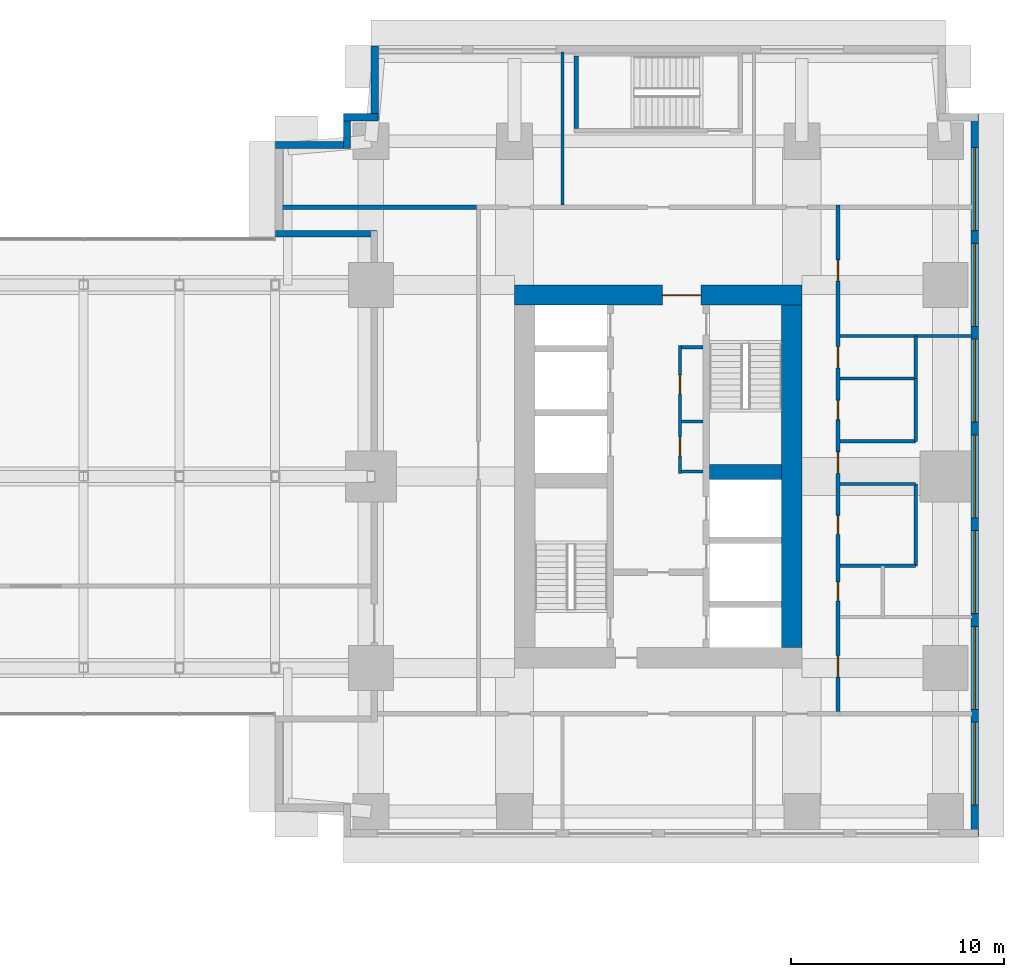
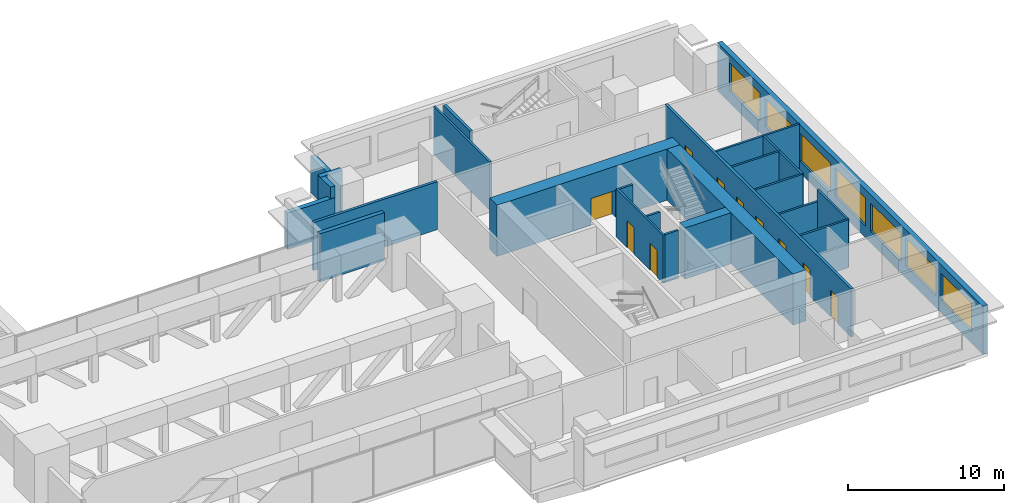
# One storey, part 11 of 15: 25 walls, 10 doors, 7 windows, 17 openings.
"""IFC4 building model written with IfcOpenShell, lengths in metres."""

from ifc_helpers import new_model, si_unit, direction, frame, frame_2d, origin, place, context, subcontext, project, spatial, rectangle, extrude, material, layer, layer_set, type_object, element, fill, save


model = new_model("IFC4")

# Units and contexts
model_context = context("Model", 3, precision=1e-05, world=origin(), true_north=direction((0.0, 1.0)))
body_context = subcontext(model_context, "Body", "Model", "MODEL_VIEW")
ifc_project = project(units=[si_unit("LENGTHUNIT", "METRE"), si_unit("AREAUNIT", "SQUARE_METRE"), si_unit("VOLUMEUNIT", "CUBIC_METRE"), si_unit("PLANEANGLEUNIT", "RADIAN"), si_unit("MASSUNIT", "GRAM", prefix="KILO")], contexts=[model_context])

# Site, building, storey
site_placement = place(None, origin())
site = spatial("IfcSite", under=ifc_project, at=site_placement, CompositionType="ELEMENT")
building_placement = place(site_placement, origin())
building = spatial("IfcBuilding", under=site, at=building_placement, Name="Namib Vertical Campus", CompositionType="ELEMENT")
storey_placement = place(building_placement, frame((0.0, 0.0, 105.0)))
storey = spatial("IfcBuildingStorey", under=building, at=storey_placement, Name="L24", CompositionType="ELEMENT", Elevation=105.0)

# Walls
ifc_material_1 = material(Name="Concrete C60/75", Category="concrete")
ifc_layer_1 = layer(ifc_material_1, 0.699951171875)
ifc_layer_set_1 = layer_set([ifc_layer_1], Name="Concrete C60/75")
wall_type_1 = type_object("IfcWallType", Name="Core shear wall 700", PredefinedType="SHEAR", material=ifc_layer_set_1)
wall_1_placement = place(storey_placement, frame((83.39990234375, 20.449951171875, 0.0), z_axis=(0.0, 0.0, 1.0), x_axis=(1.0, 0.0, 0.0)))
element("IfcWall", 1, at=wall_1_placement, inside=storey, type_object=wall_type_1, Name="Core shear wall B L24 W7", PredefinedType="SHEAR", context=body_context, shape_type="SweptSolid", body=[
    extrude(rectangle(XDim=3.400146484375, YDim=0.699951171875, at=frame_2d((1.7001953125, 0.0))), origin(), (0.0, 0.0, 1.0), 4.0),
])
ifc_material_2 = material(Name="Concrete C60/75", Category="concrete")
ifc_layer_2 = layer(ifc_material_2, 0.949951171875)
ifc_layer_set_2 = layer_set([ifc_layer_2], Name="Concrete C60/75")
wall_type_2 = type_object("IfcWallType", Name="Core wall 950", PredefinedType="SHEAR", material=ifc_layer_set_2)
wall_2_placement = place(storey_placement, frame((87.27490234375, 12.199951171875, 0.0), z_axis=(0.0, 0.0, 1.0), x_axis=(0.0, 1.0, 0.0)))
element("IfcWall", 2, at=wall_2_placement, inside=storey, type_object=wall_type_2, Name="Core wall B L24 2", PredefinedType="SHEAR", context=body_context, shape_type="SweptSolid", body=[
    extrude(rectangle(XDim=16.10009765625, YDim=0.949951171875, at=frame_2d((8.050048828125, 0.0))), origin(), (0.0, 0.0, 1.0), 4.0),
])

# Wall, opening, door
wall_3_placement = place(storey_placement, frame((87.75, 28.77490234375, 0.0), z_axis=(0.0, 0.0, 1.0), x_axis=(-1.0, 0.0, 0.0)))
wall_3 = element("IfcWall", 3, at=wall_3_placement, inside=storey, type_object=wall_type_2, Name="Core wall B L24 3", PredefinedType="SHEAR", context=body_context, shape_type="SweptSolid", body=[
    extrude(rectangle(XDim=13.5, YDim=0.949951171875, at=frame_2d((6.75, 0.0))), origin(), (0.0, 0.0, 1.0), 4.0),
])
opening_1_placement = place(wall_3_placement, frame((4.75, 0.0, 0.0)))
opening_1 = element("IfcOpeningElement", 4, at=opening_1_placement, cuts=wall_3, Name="Opening FD2", PredefinedType="OPENING", context=body_context, shape_type="SweptSolid", body=[
    extrude(rectangle(XDim=1.800048828125, YDim=2.10009765625, at=frame_2d((0.89990234375, 1.050048828125))), frame((0.0, 0.48486328125, 0.0), z_axis=(0.0, -1.0, 0.0), x_axis=(1.0, 0.0, 0.0)), (0.0, 0.0, 1.0), 0.969970703125),
])
ifc_material_3 = material(Name="Steel fire door", Category="steel")
door_type_1 = type_object("IfcDoorType", Name="Fire door double 1800x2100", OperationType="DOUBLE_DOOR_SINGLE_SWING", PredefinedType="DOOR", material=ifc_material_3)
door_1_placement = place(opening_1_placement, origin())
door_1 = element("IfcDoor", 5, at=door_1_placement, inside=storey, type_object=door_type_1, Name="Lift lobby door FD2 B L24", OperationType="DOUBLE_DOOR_SINGLE_SWING", OverallHeight=2.10009765625, OverallWidth=1.800048828125, PredefinedType="DOOR", context=body_context, shape_type="SweptSolid", body=[
    extrude(rectangle(XDim=1.800048828125, YDim=2.10009765625, at=frame_2d((0.89990234375, 1.050048828125))), frame((0.0, 0.02490234375, 0.0), z_axis=(0.0, -1.0, 0.0), x_axis=(1.0, 0.0, 0.0)), (0.0, 0.0, 1.0), 0.050048828125),
])
fill(opening_1, door_1)

# Wall, openings, doors
ifc_material_4 = material(Name="Concrete masonry", Category="masonry")
ifc_layer_3 = layer(ifc_material_4, 0.199951171875)
ifc_layer_set_3 = layer_set([ifc_layer_3], Name="Corridor wall 200")
wall_type_3 = type_object("IfcWallType", Name="Corridor wall 200", PredefinedType="SOLIDWALL", material=ifc_layer_set_3)
wall_4_placement = place(storey_placement, frame((89.449951171875, 9.199951171875, 0.0), z_axis=(0.0, 0.0, 1.0), x_axis=(0.0, 1.0, 0.0)))
wall_4 = element("IfcWall", 6, at=wall_4_placement, inside=storey, type_object=wall_type_3, Name="Corridor wall B L24 CE", PredefinedType="SOLIDWALL", context=body_context, shape_type="SweptSolid", body=[
    extrude(rectangle(XDim=23.800048828125, YDim=0.199951171875, at=frame_2d((11.89990234375, 0.0))), origin(), (0.0, 0.0, 1.0), 3.75),
])
opening_2_placement = place(wall_4_placement, frame((1.625, 0.0, 0.0)))
opening_2 = element("IfcOpeningElement", 7, at=opening_2_placement, cuts=wall_4, Name="Opening CD1", PredefinedType="OPENING", context=body_context, shape_type="SweptSolid", body=[
    extrude(rectangle(XDim=1.0, YDim=2.10009765625, at=frame_2d((0.5, 1.050048828125))), frame((0.0, 0.10986328125, 0.0), z_axis=(0.0, -1.0, 0.0), x_axis=(1.0, 0.0, 0.0)), (0.0, 0.0, 1.0), 0.219970703125),
])
opening_3_placement = place(wall_4_placement, frame((5.199951171875, 0.0, 0.0)))
opening_3 = element("IfcOpeningElement", 8, at=opening_3_placement, cuts=wall_4, Name="Opening CD3", PredefinedType="OPENING", context=body_context, shape_type="SweptSolid", body=[
    extrude(rectangle(XDim=0.89990234375, YDim=2.10009765625, at=frame_2d((0.449951171875, 1.050048828125))), frame((0.0, 0.10986328125, 0.0), z_axis=(0.0, -1.0, 0.0), x_axis=(1.0, 0.0, 0.0)), (0.0, 0.0, 1.0), 0.219970703125),
])
opening_4_placement = place(wall_4_placement, frame((8.324951171875, 0.0, 0.0)))
opening_4 = element("IfcOpeningElement", 9, at=opening_4_placement, cuts=wall_4, Name="Opening CD3", PredefinedType="OPENING", context=body_context, shape_type="SweptSolid", body=[
    extrude(rectangle(XDim=0.89990234375, YDim=2.10009765625, at=frame_2d((0.449951171875, 1.050048828125))), frame((0.0, 0.10986328125, 0.0), z_axis=(0.0, -1.0, 0.0), x_axis=(1.0, 0.0, 0.0)), (0.0, 0.0, 1.0), 0.219970703125),
])
opening_5_placement = place(wall_4_placement, frame((13.72509765625, 0.0, 0.0)))
opening_5 = element("IfcOpeningElement", 10, at=opening_5_placement, cuts=wall_4, Name="Opening CD3", PredefinedType="OPENING", context=body_context, shape_type="SweptSolid", body=[
    extrude(rectangle(XDim=0.89990234375, YDim=2.10009765625, at=frame_2d((0.449951171875, 1.050048828125))), frame((0.0, 0.10986328125, 0.0), z_axis=(0.0, -1.0, 0.0), x_axis=(1.0, 0.0, 0.0)), (0.0, 0.0, 1.0), 0.219970703125),
])
opening_6_placement = place(wall_4_placement, frame((16.14990234375, 0.0, 0.0)))
opening_6 = element("IfcOpeningElement", 11, at=opening_6_placement, cuts=wall_4, Name="Opening CD1", PredefinedType="OPENING", context=body_context, shape_type="SweptSolid", body=[
    extrude(rectangle(XDim=1.0, YDim=2.10009765625, at=frame_2d((0.5, 1.050048828125))), frame((0.0, 0.10986328125, 0.0), z_axis=(0.0, -1.0, 0.0), x_axis=(1.0, 0.0, 0.0)), (0.0, 0.0, 1.0), 0.219970703125),
])
opening_7_placement = place(wall_4_placement, frame((11.199951171875, 0.0, 0.0)))
opening_7 = element("IfcOpeningElement", 12, at=opening_7_placement, cuts=wall_4, Name="Opening CD1", PredefinedType="OPENING", context=body_context, shape_type="SweptSolid", body=[
    extrude(rectangle(XDim=1.0, YDim=2.10009765625, at=frame_2d((0.5, 1.050048828125))), frame((0.0, 0.10986328125, 0.0), z_axis=(0.0, -1.0, 0.0), x_axis=(1.0, 0.0, 0.0)), (0.0, 0.0, 1.0), 0.219970703125),
])
opening_8_placement = place(wall_4_placement, frame((20.22509765625, 0.0, 0.0)))
opening_8 = element("IfcOpeningElement", 13, at=opening_8_placement, cuts=wall_4, Name="Opening CD1", PredefinedType="OPENING", context=body_context, shape_type="SweptSolid", body=[
    extrude(rectangle(XDim=1.0, YDim=2.10009765625, at=frame_2d((0.5, 1.050048828125))), frame((0.0, 0.10986328125, 0.0), z_axis=(0.0, -1.0, 0.0), x_axis=(1.0, 0.0, 0.0)), (0.0, 0.0, 1.0), 0.219970703125),
])
ifc_material_5 = material(Name="Timber fire door leaf", Category="wood")
door_type_2 = type_object("IfcDoorType", Name="Corridor door 1000x2100 20 min", OperationType="SINGLE_SWING_LEFT", PredefinedType="DOOR", material=ifc_material_5)
door_2_placement = place(opening_2_placement, frame((1.0, 0.0, 0.0), z_axis=(0.0, 0.0, 1.0), x_axis=(-1.0, 0.0, 0.0)))
door_2 = element("IfcDoor", 14, at=door_2_placement, inside=storey, type_object=door_type_2, Name="Door CD1 B24-04", OperationType="SINGLE_SWING_RIGHT", OverallHeight=2.10009765625, OverallWidth=1.0, PredefinedType="DOOR", context=body_context, shape_type="SweptSolid", body=[
    extrude(rectangle(XDim=1.0, YDim=2.10009765625, at=frame_2d((0.5, 1.050048828125))), frame((0.0, 0.02490234375, 0.0), z_axis=(0.0, -1.0, 0.0), x_axis=(1.0, 0.0, 0.0)), (0.0, 0.0, 1.0), 0.050048828125),
])
fill(opening_2, door_2)
door_3_placement = place(opening_6_placement, frame((1.0, 0.0, 0.0), z_axis=(0.0, 0.0, 1.0), x_axis=(-1.0, 0.0, 0.0)))
door_3 = element("IfcDoor", 15, at=door_3_placement, inside=storey, type_object=door_type_2, Name="Door CD1 B24-08", OperationType="SINGLE_SWING_RIGHT", OverallHeight=2.10009765625, OverallWidth=1.0, PredefinedType="DOOR", context=body_context, shape_type="SweptSolid", body=[
    extrude(rectangle(XDim=1.0, YDim=2.10009765625, at=frame_2d((0.5, 1.050048828125))), frame((0.0, 0.02490234375, 0.0), z_axis=(0.0, -1.0, 0.0), x_axis=(1.0, 0.0, 0.0)), (0.0, 0.0, 1.0), 0.050048828125),
])
fill(opening_6, door_3)
door_4_placement = place(opening_7_placement, frame((1.0, 0.0, 0.0), z_axis=(0.0, 0.0, 1.0), x_axis=(-1.0, 0.0, 0.0)))
door_4 = element("IfcDoor", 16, at=door_4_placement, inside=storey, type_object=door_type_2, Name="Door CD1 B24-09", OperationType="SINGLE_SWING_RIGHT", OverallHeight=2.10009765625, OverallWidth=1.0, PredefinedType="DOOR", context=body_context, shape_type="SweptSolid", body=[
    extrude(rectangle(XDim=1.0, YDim=2.10009765625, at=frame_2d((0.5, 1.050048828125))), frame((0.0, 0.02490234375, 0.0), z_axis=(0.0, -1.0, 0.0), x_axis=(1.0, 0.0, 0.0)), (0.0, 0.0, 1.0), 0.050048828125),
])
fill(opening_7, door_4)
door_5_placement = place(opening_8_placement, frame((1.0, 0.0, 0.0), z_axis=(0.0, 0.0, 1.0), x_axis=(-1.0, 0.0, 0.0)))
door_5 = element("IfcDoor", 17, at=door_5_placement, inside=storey, type_object=door_type_2, Name="Door CD1 B24-10", OperationType="SINGLE_SWING_RIGHT", OverallHeight=2.10009765625, OverallWidth=1.0, PredefinedType="DOOR", context=body_context, shape_type="SweptSolid", body=[
    extrude(rectangle(XDim=1.0, YDim=2.10009765625, at=frame_2d((0.5, 1.050048828125))), frame((0.0, 0.02490234375, 0.0), z_axis=(0.0, -1.0, 0.0), x_axis=(1.0, 0.0, 0.0)), (0.0, 0.0, 1.0), 0.050048828125),
])
fill(opening_8, door_5)
ifc_material_6 = material(Name="Timber fire door leaf", Category="wood")
door_type_3 = type_object("IfcDoorType", Name="Corridor toilet door 900x2100 20 min", OperationType="SINGLE_SWING_LEFT", PredefinedType="DOOR", material=ifc_material_6)
door_6_placement = place(opening_3_placement, frame((0.89990234375, 0.0, 0.0), z_axis=(0.0, 0.0, 1.0), x_axis=(-1.0, 0.0, 0.0)))
door_6 = element("IfcDoor", 18, at=door_6_placement, inside=storey, type_object=door_type_3, Name="Door CD3 B24-05", OperationType="SINGLE_SWING_RIGHT", OverallHeight=2.10009765625, OverallWidth=0.89990234375, PredefinedType="DOOR", context=body_context, shape_type="SweptSolid", body=[
    extrude(rectangle(XDim=0.89990234375, YDim=2.10009765625, at=frame_2d((0.449951171875, 1.050048828125))), frame((0.0, 0.02490234375, 0.0), z_axis=(0.0, -1.0, 0.0), x_axis=(1.0, 0.0, 0.0)), (0.0, 0.0, 1.0), 0.050048828125),
])
fill(opening_3, door_6)
door_7_placement = place(opening_4_placement, frame((0.89990234375, 0.0, 0.0), z_axis=(0.0, 0.0, 1.0), x_axis=(-1.0, 0.0, 0.0)))
door_7 = element("IfcDoor", 19, at=door_7_placement, inside=storey, type_object=door_type_3, Name="Door CD3 B24-06", OperationType="SINGLE_SWING_RIGHT", OverallHeight=2.10009765625, OverallWidth=0.89990234375, PredefinedType="DOOR", context=body_context, shape_type="SweptSolid", body=[
    extrude(rectangle(XDim=0.89990234375, YDim=2.10009765625, at=frame_2d((0.449951171875, 1.050048828125))), frame((0.0, 0.02490234375, 0.0), z_axis=(0.0, -1.0, 0.0), x_axis=(1.0, 0.0, 0.0)), (0.0, 0.0, 1.0), 0.050048828125),
])
fill(opening_4, door_7)
door_8_placement = place(opening_5_placement, frame((0.89990234375, 0.0, 0.0), z_axis=(0.0, 0.0, 1.0), x_axis=(-1.0, 0.0, 0.0)))
door_8 = element("IfcDoor", 20, at=door_8_placement, inside=storey, type_object=door_type_3, Name="Door CD3 B24-07", OperationType="SINGLE_SWING_RIGHT", OverallHeight=2.10009765625, OverallWidth=0.89990234375, PredefinedType="DOOR", context=body_context, shape_type="SweptSolid", body=[
    extrude(rectangle(XDim=0.89990234375, YDim=2.10009765625, at=frame_2d((0.449951171875, 1.050048828125))), frame((0.0, 0.02490234375, 0.0), z_axis=(0.0, -1.0, 0.0), x_axis=(1.0, 0.0, 0.0)), (0.0, 0.0, 1.0), 0.050048828125),
])
fill(opening_5, door_8)

# Wall
wall_5_placement = place(storey_placement, frame((63.300048828125, 32.89990234375, 0.0), z_axis=(0.0, 0.0, 1.0), x_axis=(1.0, 0.0, 0.0)))
element("IfcWall", 21, at=wall_5_placement, inside=storey, type_object=wall_type_3, Name="Partition B L24 BNW", PredefinedType="SOLIDWALL", context=body_context, shape_type="SweptSolid", body=[
    extrude(rectangle(XDim=9.14990234375, YDim=0.199951171875, at=frame_2d((4.574951171875, 0.0))), origin(), (0.0, 0.0, 1.0), 3.75),
])

# Wall, openings, windows
ifc_material_7 = material(Name="Concrete C40/50", Category="concrete")
ifc_layer_4 = layer(ifc_material_7, 0.35009765625)
ifc_layer_set_4 = layer_set([ifc_layer_4], Name="Concrete C40/50")
wall_type_4 = type_object("IfcWallType", Name="External wall 350 bush-hammered concrete", PredefinedType="STANDARD", material=ifc_layer_set_4)
wall_6_placement = place(storey_placement, frame((95.875, 3.320068359375, 0.0), z_axis=(0.0, 0.0, 1.0), x_axis=(0.0, 1.0, 0.0)))
wall_6 = element("IfcWall", 22, at=wall_6_placement, inside=storey, type_object=wall_type_4, Name="External wall L24 F05", PredefinedType="STANDARD", context=body_context, shape_type="SweptSolid", body=[
    extrude(rectangle(XDim=33.9599609375, YDim=0.35009765625, at=frame_2d((16.97998046875, 0.0))), origin(), (0.0, 0.0, 1.0), 3.75),
])
opening_9_placement = place(wall_6_placement, frame((1.47998046875, 0.0, 0.89990234375)))
opening_9 = element("IfcOpeningElement", 23, at=opening_9_placement, cuts=wall_6, Name="Opening W1", PredefinedType="OPENING", context=body_context, shape_type="SweptSolid", body=[
    extrude(rectangle(XDim=3.89990234375, YDim=2.199951171875, at=frame_2d((1.949951171875, 1.10009765625))), frame((0.0, 0.18505859375, 0.0), z_axis=(0.0, -1.0, 0.0), x_axis=(1.0, 0.0, 0.0)), (0.0, 0.0, 1.0), 0.3701171875),
])
opening_10_placement = place(wall_6_placement, frame((5.97998046875, 0.0, 0.89990234375)))
opening_10 = element("IfcOpeningElement", 24, at=opening_10_placement, cuts=wall_6, Name="Opening W1", PredefinedType="OPENING", context=body_context, shape_type="SweptSolid", body=[
    extrude(rectangle(XDim=3.89990234375, YDim=2.199951171875, at=frame_2d((1.949951171875, 1.10009765625))), frame((0.0, 0.18505859375, 0.0), z_axis=(0.0, -1.0, 0.0), x_axis=(1.0, 0.0, 0.0)), (0.0, 0.0, 1.0), 0.3701171875),
])
opening_11_placement = place(wall_6_placement, frame((10.47998046875, 0.0, 0.89990234375)))
opening_11 = element("IfcOpeningElement", 25, at=opening_11_placement, cuts=wall_6, Name="Opening W1", PredefinedType="OPENING", context=body_context, shape_type="SweptSolid", body=[
    extrude(rectangle(XDim=3.89990234375, YDim=2.199951171875, at=frame_2d((1.949951171875, 1.10009765625))), frame((0.0, 0.18505859375, 0.0), z_axis=(0.0, -1.0, 0.0), x_axis=(1.0, 0.0, 0.0)), (0.0, 0.0, 1.0), 0.3701171875),
])
opening_12_placement = place(wall_6_placement, frame((14.97998046875, 0.0, 0.89990234375)))
opening_12 = element("IfcOpeningElement", 26, at=opening_12_placement, cuts=wall_6, Name="Opening W1", PredefinedType="OPENING", context=body_context, shape_type="SweptSolid", body=[
    extrude(rectangle(XDim=3.89990234375, YDim=2.199951171875, at=frame_2d((1.949951171875, 1.10009765625))), frame((0.0, 0.18505859375, 0.0), z_axis=(0.0, -1.0, 0.0), x_axis=(1.0, 0.0, 0.0)), (0.0, 0.0, 1.0), 0.3701171875),
])
opening_13_placement = place(wall_6_placement, frame((19.47998046875, 0.0, 0.89990234375)))
opening_13 = element("IfcOpeningElement", 27, at=opening_13_placement, cuts=wall_6, Name="Opening W1", PredefinedType="OPENING", context=body_context, shape_type="SweptSolid", body=[
    extrude(rectangle(XDim=3.89990234375, YDim=2.199951171875, at=frame_2d((1.949951171875, 1.10009765625))), frame((0.0, 0.18505859375, 0.0), z_axis=(0.0, -1.0, 0.0), x_axis=(1.0, 0.0, 0.0)), (0.0, 0.0, 1.0), 0.3701171875),
])
opening_14_placement = place(wall_6_placement, frame((23.97998046875, 0.0, 0.89990234375)))
opening_14 = element("IfcOpeningElement", 28, at=opening_14_placement, cuts=wall_6, Name="Opening W1", PredefinedType="OPENING", context=body_context, shape_type="SweptSolid", body=[
    extrude(rectangle(XDim=3.89990234375, YDim=2.199951171875, at=frame_2d((1.949951171875, 1.10009765625))), frame((0.0, 0.18505859375, 0.0), z_axis=(0.0, -1.0, 0.0), x_axis=(1.0, 0.0, 0.0)), (0.0, 0.0, 1.0), 0.3701171875),
])
opening_15_placement = place(wall_6_placement, frame((28.47998046875, 0.0, 0.89990234375)))
opening_15 = element("IfcOpeningElement", 29, at=opening_15_placement, cuts=wall_6, Name="Opening W1", PredefinedType="OPENING", context=body_context, shape_type="SweptSolid", body=[
    extrude(rectangle(XDim=3.89990234375, YDim=2.199951171875, at=frame_2d((1.949951171875, 1.10009765625))), frame((0.0, 0.18505859375, 0.0), z_axis=(0.0, -1.0, 0.0), x_axis=(1.0, 0.0, 0.0)), (0.0, 0.0, 1.0), 0.3701171875),
])
ifc_material_8 = material(Name="Dark tinted glass in black aluminium frame", Category="aluminium")
window_type = type_object("IfcWindowType", Name="Ribbon window 3900x2200", PartitioningType="SINGLE_PANEL", PredefinedType="WINDOW", material=ifc_material_8)
window_1_placement = place(opening_9_placement, origin())
window_1 = element("IfcWindow", 30, at=window_1_placement, inside=storey, type_object=window_type, Name="Window W1 L24 F05-1", OverallHeight=2.199951171875, OverallWidth=3.89990234375, PartitioningType="SINGLE_PANEL", PredefinedType="WINDOW", context=body_context, shape_type="SweptSolid", body=[
    extrude(rectangle(XDim=3.89990234375, YDim=2.199951171875, at=frame_2d((1.949951171875, 1.10009765625))), frame((0.0, 0.030029296875, 0.0), z_axis=(0.0, -1.0, 0.0), x_axis=(1.0, 0.0, 0.0)), (0.0, 0.0, 1.0), 0.06005859375),
])
fill(opening_9, window_1)
window_2_placement = place(opening_10_placement, origin())
window_2 = element("IfcWindow", 31, at=window_2_placement, inside=storey, type_object=window_type, Name="Window W1 L24 F05-2", OverallHeight=2.199951171875, OverallWidth=3.89990234375, PartitioningType="SINGLE_PANEL", PredefinedType="WINDOW", context=body_context, shape_type="SweptSolid", body=[
    extrude(rectangle(XDim=3.89990234375, YDim=2.199951171875, at=frame_2d((1.949951171875, 1.10009765625))), frame((0.0, 0.030029296875, 0.0), z_axis=(0.0, -1.0, 0.0), x_axis=(1.0, 0.0, 0.0)), (0.0, 0.0, 1.0), 0.06005859375),
])
fill(opening_10, window_2)
window_3_placement = place(opening_11_placement, origin())
window_3 = element("IfcWindow", 32, at=window_3_placement, inside=storey, type_object=window_type, Name="Window W1 L24 F05-3", OverallHeight=2.199951171875, OverallWidth=3.89990234375, PartitioningType="SINGLE_PANEL", PredefinedType="WINDOW", context=body_context, shape_type="SweptSolid", body=[
    extrude(rectangle(XDim=3.89990234375, YDim=2.199951171875, at=frame_2d((1.949951171875, 1.10009765625))), frame((0.0, 0.030029296875, 0.0), z_axis=(0.0, -1.0, 0.0), x_axis=(1.0, 0.0, 0.0)), (0.0, 0.0, 1.0), 0.06005859375),
])
fill(opening_11, window_3)
window_4_placement = place(opening_12_placement, origin())
window_4 = element("IfcWindow", 33, at=window_4_placement, inside=storey, type_object=window_type, Name="Window W1 L24 F05-4", OverallHeight=2.199951171875, OverallWidth=3.89990234375, PartitioningType="SINGLE_PANEL", PredefinedType="WINDOW", context=body_context, shape_type="SweptSolid", body=[
    extrude(rectangle(XDim=3.89990234375, YDim=2.199951171875, at=frame_2d((1.949951171875, 1.10009765625))), frame((0.0, 0.030029296875, 0.0), z_axis=(0.0, -1.0, 0.0), x_axis=(1.0, 0.0, 0.0)), (0.0, 0.0, 1.0), 0.06005859375),
])
fill(opening_12, window_4)
window_5_placement = place(opening_13_placement, origin())
window_5 = element("IfcWindow", 34, at=window_5_placement, inside=storey, type_object=window_type, Name="Window W1 L24 F05-5", OverallHeight=2.199951171875, OverallWidth=3.89990234375, PartitioningType="SINGLE_PANEL", PredefinedType="WINDOW", context=body_context, shape_type="SweptSolid", body=[
    extrude(rectangle(XDim=3.89990234375, YDim=2.199951171875, at=frame_2d((1.949951171875, 1.10009765625))), frame((0.0, 0.030029296875, 0.0), z_axis=(0.0, -1.0, 0.0), x_axis=(1.0, 0.0, 0.0)), (0.0, 0.0, 1.0), 0.06005859375),
])
fill(opening_13, window_5)
window_6_placement = place(opening_14_placement, origin())
window_6 = element("IfcWindow", 35, at=window_6_placement, inside=storey, type_object=window_type, Name="Window W1 L24 F05-6", OverallHeight=2.199951171875, OverallWidth=3.89990234375, PartitioningType="SINGLE_PANEL", PredefinedType="WINDOW", context=body_context, shape_type="SweptSolid", body=[
    extrude(rectangle(XDim=3.89990234375, YDim=2.199951171875, at=frame_2d((1.949951171875, 1.10009765625))), frame((0.0, 0.030029296875, 0.0), z_axis=(0.0, -1.0, 0.0), x_axis=(1.0, 0.0, 0.0)), (0.0, 0.0, 1.0), 0.06005859375),
])
fill(opening_14, window_6)
window_7_placement = place(opening_15_placement, origin())
window_7 = element("IfcWindow", 36, at=window_7_placement, inside=storey, type_object=window_type, Name="Window W1 L24 F05-7", OverallHeight=2.199951171875, OverallWidth=3.89990234375, PartitioningType="SINGLE_PANEL", PredefinedType="WINDOW", context=body_context, shape_type="SweptSolid", body=[
    extrude(rectangle(XDim=3.89990234375, YDim=2.199951171875, at=frame_2d((1.949951171875, 1.10009765625))), frame((0.0, 0.030029296875, 0.0), z_axis=(0.0, -1.0, 0.0), x_axis=(1.0, 0.0, 0.0)), (0.0, 0.0, 1.0), 0.06005859375),
])
fill(opening_15, window_7)

# Walls
wall_7_placement = place(storey_placement, frame((67.675048828125, 40.47998046875, 0.0), z_axis=(0.0, 0.0, 1.0), x_axis=(0.0, -1.0, 0.0)))
element("IfcWall", 37, at=wall_7_placement, inside=storey, type_object=wall_type_4, Name="External wall L24 F09", PredefinedType="STANDARD", context=body_context, shape_type="SweptSolid", body=[
    extrude(rectangle(XDim=3.510009765625, YDim=0.35009765625, at=frame_2d((1.7548828125, 0.0))), origin(), (0.0, 0.0, 1.0), 2.85009765625),
])
for number, where, z_axis, x_axis, name in (
    (38, (67.830078125, 37.125, 0.0), (0.0, 0.0, 1.0), (-1.0, 0.0, 0.0), "External wall L24 F10"),
    (39, (66.375, 37.280029296875, 0.0), (0.0, 0.0, 1.0), (0.0, -1.0, 0.0), "External wall L24 F11"),
):
    element("IfcWall", number, at=place(storey_placement, frame(where, z_axis=z_axis, x_axis=x_axis)), inside=storey, type_object=wall_type_4, Name=name, PredefinedType="STANDARD", context=body_context, shape_type="SweptSolid", body=[
        extrude(rectangle(XDim=1.610107421875, YDim=0.35009765625, at=frame_2d((0.80517578125, 0.0))), origin(), (0.0, 0.0, 1.0), 3.75),
    ])
wall_8_placement = place(storey_placement, frame((66.530029296875, 35.824951171875, 0.0), z_axis=(0.0, 0.0, 1.0), x_axis=(-1.0, 0.0, 0.0)))
element("IfcWall", 40, at=wall_8_placement, inside=storey, type_object=wall_type_4, Name="External wall L24 F12", PredefinedType="STANDARD", context=body_context, shape_type="SweptSolid", body=[
    extrude(rectangle(XDim=3.510009765625, YDim=0.35009765625, at=frame_2d((1.7548828125, 0.0))), origin(), (0.0, 0.0, 1.0), 2.85009765625),
])
ifc_material_9 = material(Name="Concrete masonry", Category="masonry")
ifc_layer_5 = layer(ifc_material_9, 0.300048828125)
ifc_layer_set_5 = layer_set([ifc_layer_5], Name="Fire wall 300")
wall_type_5 = type_object("IfcWallType", Name="Fire wall 300", PredefinedType="SOLIDWALL", material=ifc_layer_set_5)
wall_9_placement = place(storey_placement, frame((63.02001953125, 31.64990234375, 0.0), z_axis=(0.0, 0.0, 1.0), x_axis=(1.0, 0.0, 0.0)))
element("IfcWall", 41, at=wall_9_placement, inside=storey, type_object=wall_type_5, Name="External wall L24 F14", PredefinedType="SOLIDWALL", context=body_context, shape_type="SweptSolid", body=[
    extrude(rectangle(XDim=4.760009765625, YDim=0.300048828125, at=frame_2d((2.3798828125, 0.0))), origin(), (0.0, 0.0, 1.0), 3.75),
])

# Wall, openings, doors
ifc_material_10 = material(Name="Gypsum board on steel studs", Category="steel")
ifc_layer_6 = layer(ifc_material_10, 0.14990234375)
ifc_layer_set_6 = layer_set([ifc_layer_6], Name="Gypsum board on steel studs")
wall_type_6 = type_object("IfcWallType", Name="Partition 150", PredefinedType="PARTITIONING", material=ifc_layer_set_6)
wall_10_placement = place(storey_placement, frame((82.02490234375, 20.39990234375, 0.0), z_axis=(0.0, 0.0, 1.0), x_axis=(0.0, 1.0, 0.0)))
wall_10 = element("IfcWall", 42, at=wall_10_placement, inside=storey, type_object=wall_type_6, Name="Partition B L24 Cleaners' store and Tea point front", PredefinedType="PARTITIONING", context=body_context, shape_type="SweptSolid", body=[
    extrude(rectangle(XDim=6.0, YDim=0.14990234375, at=frame_2d((3.0, 0.0))), origin(), (0.0, 0.0, 1.0), 3.75),
])
opening_16_placement = place(wall_10_placement, frame((0.800048828125, 0.0, 0.0)))
opening_16 = element("IfcOpeningElement", 43, at=opening_16_placement, cuts=wall_10, Name="Opening D3", PredefinedType="OPENING", context=body_context, shape_type="SweptSolid", body=[
    extrude(rectangle(XDim=0.89990234375, YDim=2.10009765625, at=frame_2d((0.449951171875, 1.050048828125))), frame((0.0, 0.0849609375, 0.0), z_axis=(0.0, -1.0, 0.0), x_axis=(1.0, 0.0, 0.0)), (0.0, 0.0, 1.0), 0.169921875),
])
opening_17_placement = place(wall_10_placement, frame((3.72509765625, 0.0, 0.0)))
opening_17 = element("IfcOpeningElement", 44, at=opening_17_placement, cuts=wall_10, Name="Opening D3", PredefinedType="OPENING", context=body_context, shape_type="SweptSolid", body=[
    extrude(rectangle(XDim=0.89990234375, YDim=2.10009765625, at=frame_2d((0.449951171875, 1.050048828125))), frame((0.0, 0.0849609375, 0.0), z_axis=(0.0, -1.0, 0.0), x_axis=(1.0, 0.0, 0.0)), (0.0, 0.0, 1.0), 0.169921875),
])
ifc_material_11 = material(Name="Timber door leaf", Category="wood")
door_type_4 = type_object("IfcDoorType", Name="Toilet door 900x2100", OperationType="SINGLE_SWING_LEFT", PredefinedType="DOOR", material=ifc_material_11)
door_9_placement = place(opening_16_placement, frame((0.89990234375, 0.0, 0.0), z_axis=(0.0, 0.0, 1.0), x_axis=(-1.0, 0.0, 0.0)))
door_9 = element("IfcDoor", 45, at=door_9_placement, inside=storey, type_object=door_type_4, Name="Door D3 Cleaners' store B L24", OperationType="SINGLE_SWING_RIGHT", OverallHeight=2.10009765625, OverallWidth=0.89990234375, PredefinedType="DOOR", context=body_context, shape_type="SweptSolid", body=[
    extrude(rectangle(XDim=0.89990234375, YDim=2.10009765625, at=frame_2d((0.449951171875, 1.050048828125))), frame((0.0, 0.02490234375, 0.0), z_axis=(0.0, -1.0, 0.0), x_axis=(1.0, 0.0, 0.0)), (0.0, 0.0, 1.0), 0.050048828125),
])
fill(opening_16, door_9)
door_10_placement = place(opening_17_placement, frame((0.89990234375, 0.0, 0.0), z_axis=(0.0, 0.0, 1.0), x_axis=(-1.0, 0.0, 0.0)))
door_10 = element("IfcDoor", 46, at=door_10_placement, inside=storey, type_object=door_type_4, Name="Door D3 Tea point B L24", OperationType="SINGLE_SWING_RIGHT", OverallHeight=2.10009765625, OverallWidth=0.89990234375, PredefinedType="DOOR", context=body_context, shape_type="SweptSolid", body=[
    extrude(rectangle(XDim=0.89990234375, YDim=2.10009765625, at=frame_2d((0.449951171875, 1.050048828125))), frame((0.0, 0.02490234375, 0.0), z_axis=(0.0, -1.0, 0.0), x_axis=(1.0, 0.0, 0.0)), (0.0, 0.0, 1.0), 0.050048828125),
])
fill(opening_17, door_10)

# Walls
for number, where, z_axis, x_axis, name in (
    (47, (82.10009765625, 20.47509765625, 0.0), (0.0, 0.0, 1.0), (1.0, 0.0, 0.0), "Partition B L24 Cleaners' store and Tea point end 1"),
    (48, (82.10009765625, 22.824951171875, 0.0), (0.0, 0.0, 1.0), (1.0, 0.0, 0.0), "Partition B L24 Cleaners' store and Tea point division 2"),
    (49, (82.10009765625, 26.324951171875, 0.0), (0.0, 0.0, 1.0), (1.0, 0.0, 0.0), "Partition B L24 Cleaners' store and Tea point end 3"),
):
    element("IfcWall", number, at=place(storey_placement, frame(where, z_axis=z_axis, x_axis=x_axis)), inside=storey, type_object=wall_type_6, Name=name, PredefinedType="PARTITIONING", context=body_context, shape_type="SweptSolid", body=[
        extrude(rectangle(XDim=1.0, YDim=0.14990234375, at=frame_2d((0.5, 0.0))), origin(), (0.0, 0.0, 1.0), 3.75),
    ])
wall_11_placement = place(storey_placement, frame((76.5, 33.0, 0.0), z_axis=(0.0, 0.0, 1.0), x_axis=(0.0, 1.0, 0.0)))
element("IfcWall", 50, at=wall_11_placement, inside=storey, type_object=wall_type_6, Name="Partition B L24 PN1", PredefinedType="PARTITIONING", context=body_context, shape_type="SweptSolid", body=[
    extrude(rectangle(XDim=7.199951171875, YDim=0.14990234375, at=frame_2d((3.60009765625, 0.0))), origin(), (0.0, 0.0, 1.0), 3.75),
])
wall_12_placement = place(storey_placement, frame((89.550048828125, 26.85009765625, 0.0), z_axis=(0.0, 0.0, 1.0), x_axis=(1.0, 0.0, 0.0)))
element("IfcWall", 51, at=wall_12_placement, inside=storey, type_object=wall_type_6, Name="Partition B L24 PE2", PredefinedType="PARTITIONING", context=body_context, shape_type="SweptSolid", body=[
    extrude(rectangle(XDim=6.199951171875, YDim=0.14990234375, at=frame_2d((3.10009765625, 0.0))), origin(), (0.0, 0.0, 1.0), 3.75),
])
wall_13_placement = place(storey_placement, frame((89.550048828125, 16.050048828125, 0.0), z_axis=(0.0, 0.0, 1.0), x_axis=(1.0, 0.0, 0.0)))
element("IfcWall", 52, at=wall_13_placement, inside=storey, type_object=wall_type_6, Name="Partition B L24 WR1", PredefinedType="PARTITIONING", context=body_context, shape_type="SweptSolid", body=[
    extrude(rectangle(XDim=3.550048828125, YDim=0.14990234375, at=frame_2d((1.77490234375, 0.0))), origin(), (0.0, 0.0, 1.0), 3.75),
])
wall_14_placement = place(storey_placement, frame((89.550048828125, 19.89990234375, 0.0), z_axis=(0.0, 0.0, 1.0), x_axis=(1.0, 0.0, 0.0)))
element("IfcWall", 53, at=wall_14_placement, inside=storey, type_object=wall_type_6, Name="Partition B L24 WR2", PredefinedType="PARTITIONING", context=body_context, shape_type="SweptSolid", body=[
    extrude(rectangle(XDim=3.550048828125, YDim=0.14990234375, at=frame_2d((1.77490234375, 0.0))), origin(), (0.0, 0.0, 1.0), 2.85009765625),
])
for number, where, z_axis, x_axis, name in (
    (54, (89.550048828125, 21.89990234375, 0.0), (0.0, 0.0, 1.0), (1.0, 0.0, 0.0), "Partition B L24 WR3"),
    (55, (89.550048828125, 24.85009765625, 0.0), (0.0, 0.0, 1.0), (1.0, 0.0, 0.0), "Partition B L24 WR4"),
):
    element("IfcWall", number, at=place(storey_placement, frame(where, z_axis=z_axis, x_axis=x_axis)), inside=storey, type_object=wall_type_6, Name=name, PredefinedType="PARTITIONING", context=body_context, shape_type="SweptSolid", body=[
        extrude(rectangle(XDim=3.550048828125, YDim=0.14990234375, at=frame_2d((1.77490234375, 0.0))), origin(), (0.0, 0.0, 1.0), 3.75),
    ])
wall_15_placement = place(storey_placement, frame((93.10009765625, 16.050048828125, 0.0), z_axis=(0.0, 0.0, 1.0), x_axis=(0.0, 1.0, 0.0)))
element("IfcWall", 56, at=wall_15_placement, inside=storey, type_object=wall_type_6, Name="Partition B L24 WB2", PredefinedType="PARTITIONING", context=body_context, shape_type="SweptSolid", body=[
    extrude(rectangle(XDim=3.849853515625, YDim=0.14990234375, at=frame_2d((1.9248046875, 0.0))), origin(), (0.0, 0.0, 1.0), 3.75),
])
wall_16_placement = place(storey_placement, frame((93.10009765625, 21.89990234375, 0.0), z_axis=(0.0, 0.0, 1.0), x_axis=(0.0, 1.0, 0.0)))
element("IfcWall", 57, at=wall_16_placement, inside=storey, type_object=wall_type_6, Name="Partition B L24 WB3", PredefinedType="PARTITIONING", context=body_context, shape_type="SweptSolid", body=[
    extrude(rectangle(XDim=2.9501953125, YDim=0.14990234375, at=frame_2d((1.47509765625, 0.0))), origin(), (0.0, 0.0, 1.0), 3.75),
])
wall_17_placement = place(storey_placement, frame((93.10009765625, 24.85009765625, 0.0), z_axis=(0.0, 0.0, 1.0), x_axis=(0.0, 1.0, 0.0)))
element("IfcWall", 58, at=wall_17_placement, inside=storey, type_object=wall_type_6, Name="Partition B L24 WB4", PredefinedType="PARTITIONING", context=body_context, shape_type="SweptSolid", body=[
    extrude(rectangle(XDim=2.0, YDim=0.14990234375, at=frame_2d((1.0, 0.0))), origin(), (0.0, 0.0, 1.0), 3.75),
])
ifc_material_12 = material(Name="Concrete C40/50", Category="concrete")
ifc_layer_7 = layer(ifc_material_12, 0.199951171875)
ifc_layer_set_7 = layer_set([ifc_layer_7], Name="Concrete C40/50")
wall_type_7 = type_object("IfcWallType", Name="Stair enclosure wall RC 200", PredefinedType="SOLIDWALL", material=ifc_layer_set_7)
wall_18_placement = place(storey_placement, frame((77.14990234375, 36.60009765625, 0.0), z_axis=(0.0, 0.0, 1.0), x_axis=(0.0, 1.0, 0.0)))
element("IfcWall", 59, at=wall_18_placement, inside=storey, type_object=wall_type_7, Name="Stair enclosure wall B-S3 L24 W", PredefinedType="SOLIDWALL", context=body_context, shape_type="SweptSolid", body=[
    extrude(rectangle(XDim=3.39990234375, YDim=0.199951171875, at=frame_2d((1.699951171875, 0.0))), origin(), (0.0, 0.0, 1.0), 3.75),
])

save(model, "model.ifc")
